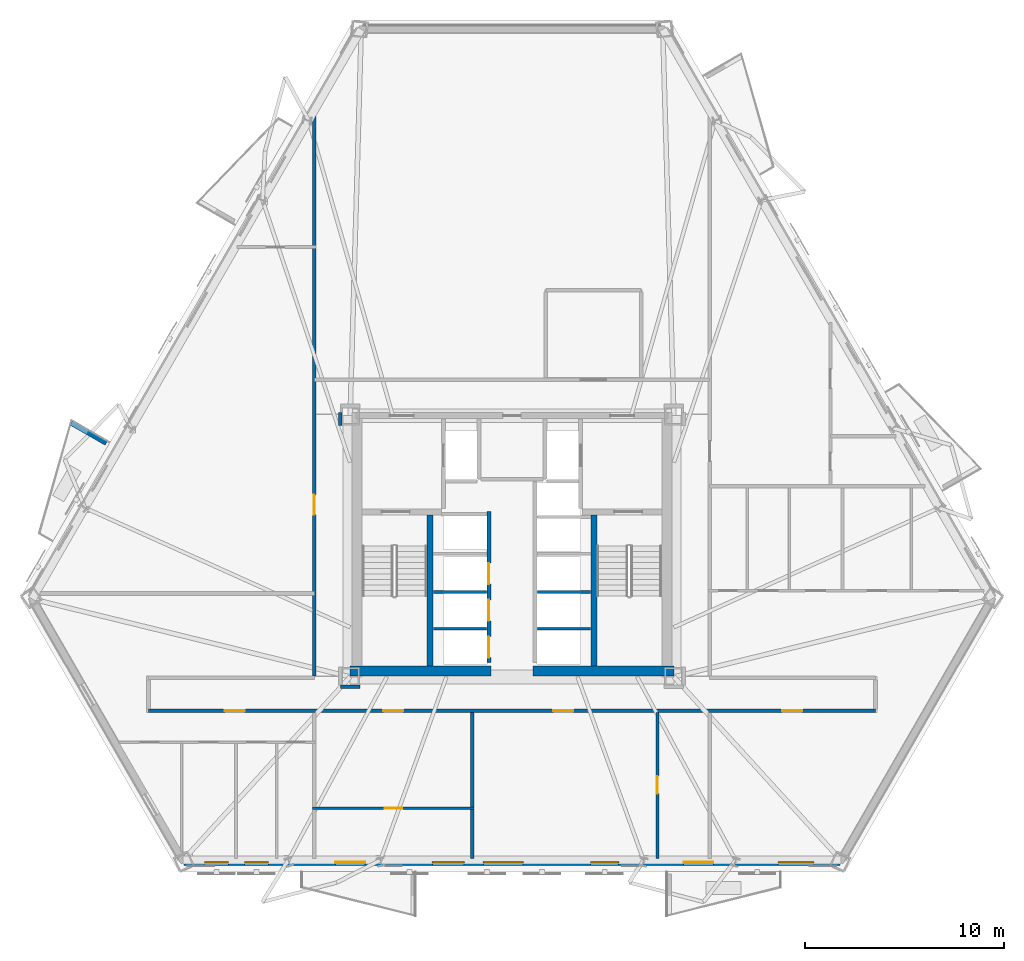
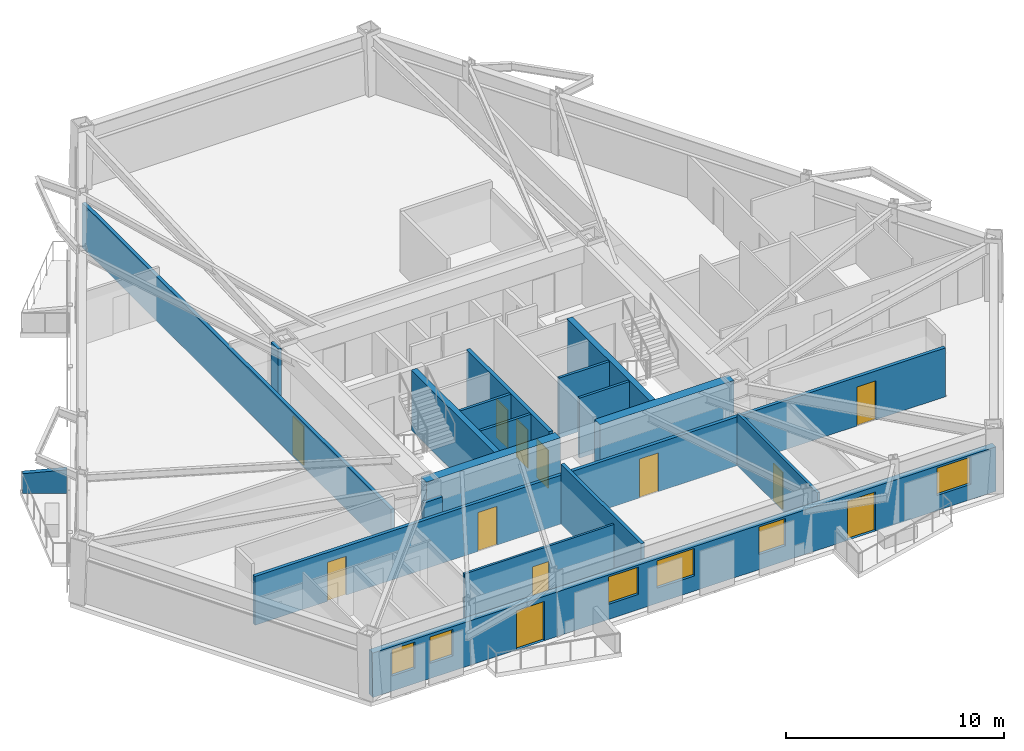
# One storey, part 3 of 13: 18 walls, 12 doors, 6 windows, 18 openings.
"""IFC4 building model written with IfcOpenShell, lengths in metres."""

from ifc_helpers import new_model, si_unit, direction, frame, frame_2d, origin, place, context, subcontext, project, spatial, polyline, rectangle, outline, extrude, material, layer, layer_set, type_object, element, fill, save


model = new_model("IFC4")

# Units and contexts
model_context = context("Model", 3, precision=1e-05, world=origin(), true_north=direction((0.0, 1.0)))
body_context = subcontext(model_context, "Body", "Model", "MODEL_VIEW")
ifc_project = project(units=[si_unit("LENGTHUNIT", "METRE"), si_unit("AREAUNIT", "SQUARE_METRE"), si_unit("VOLUMEUNIT", "CUBIC_METRE"), si_unit("PLANEANGLEUNIT", "RADIAN"), si_unit("MASSUNIT", "GRAM", prefix="KILO")], contexts=[model_context])

# Site, building, storey
site_placement = place(None, origin())
site = spatial("IfcSite", under=ifc_project, at=site_placement, CompositionType="ELEMENT")
building_placement = place(site_placement, origin())
building = spatial("IfcBuilding", under=site, at=building_placement, Name="Oramaril Tower", CompositionType="ELEMENT")
storey_placement = place(building_placement, frame((0.0, 0.0, 38.10009765625)))
storey = spatial("IfcBuildingStorey", under=building, at=storey_placement, Name="L09", CompositionType="ELEMENT", Elevation=38.10009765625)

# Wall, openings, doors, windows
ifc_material_1 = material(Name="Warm Cream Limestone", Category="masonry")
ifc_layer_1 = layer(ifc_material_1, 0.340087890625)
ifc_layer_set_1 = layer_set([ifc_layer_1], Name="WT-EXT34")
wall_type_1 = type_object("IfcWallType", Name="WT-EXT34", PredefinedType="SOLIDWALL", material=ifc_layer_set_1)
wall_1_placement = place(storey_placement, frame((20.989013671875, 1.673828125, 0.0), z_axis=(0.0, 0.0, 1.0), x_axis=(1.0, 0.0, 0.0)))
wall_1 = element("IfcWall", 1, at=wall_1_placement, inside=storey, type_object=wall_type_1, Name="L09 Tower Limestone Facade Wall 2M", PredefinedType="SOLIDWALL", context=body_context, shape_type="SweptSolid", body=[
    extrude(rectangle(XDim=33.02197265625, YDim=0.340087890625, at=frame_2d((16.510986328125, 0.0))), origin(), (0.0, 0.0, 1.0), 2.493896484375),
])
opening_1_placement = place(wall_1_placement, frame((7.614501953125, 0.0, 0.0)))
opening_1 = element("IfcOpeningElement", 2, at=opening_1_placement, cuts=wall_1, Name="Opening D-L09-BAL-S1", PredefinedType="OPENING", context=body_context, shape_type="SweptSolid", body=[
    extrude(rectangle(XDim=1.5, YDim=2.199951171875, at=frame_2d((0.75, 1.10009765625))), frame((0.0, 0.169921875, 0.0), z_axis=(0.0, -1.0, 0.0), x_axis=(1.0, 0.0, 0.0)), (0.0, 0.0, 1.0), 0.340087890625),
])
opening_2_placement = place(wall_1_placement, frame((25.15234375, 0.0, 0.0)))
opening_2 = element("IfcOpeningElement", 3, at=opening_2_placement, cuts=wall_1, Name="Opening D-L09-BAL-S2", PredefinedType="OPENING", context=body_context, shape_type="SweptSolid", body=[
    extrude(rectangle(XDim=1.5, YDim=2.199951171875, at=frame_2d((0.75, 1.10009765625))), frame((0.0, 0.169921875, 0.0), z_axis=(0.0, -1.0, 0.0), x_axis=(1.0, 0.0, 0.0)), (0.0, 0.0, 1.0), 0.340087890625),
])
opening_3_placement = place(wall_1_placement, frame((12.49951171875, 0.0, 0.85009765625)))
opening_3 = element("IfcOpeningElement", 4, at=opening_3_placement, cuts=wall_1, Name="Opening WN-07", PredefinedType="OPENING", context=body_context, shape_type="SweptSolid", body=[
    extrude(rectangle(XDim=1.60009765625, YDim=1.533935546875, at=frame_2d((0.800048828125, 0.76708984375))), frame((0.0, 0.169921875, 0.0), z_axis=(0.0, -1.0, 0.0), x_axis=(1.0, 0.0, 0.0)), (0.0, 0.0, 1.0), 0.340087890625),
])
opening_4_placement = place(wall_1_placement, frame((15.065185546875, 0.0, 0.85009765625)))
opening_4 = element("IfcOpeningElement", 5, at=opening_4_placement, cuts=wall_1, Name="Opening WN-05", PredefinedType="OPENING", context=body_context, shape_type="SweptSolid", body=[
    extrude(rectangle(XDim=2.0, YDim=1.533935546875, at=frame_2d((1.0, 0.76708984375))), frame((0.0, 0.169921875, 0.0), z_axis=(0.0, -1.0, 0.0), x_axis=(1.0, 0.0, 0.0)), (0.0, 0.0, 1.0), 0.340087890625),
])
opening_5_placement = place(wall_1_placement, frame((20.474609375, 0.0, 0.85009765625)))
opening_5 = element("IfcOpeningElement", 6, at=opening_5_placement, cuts=wall_1, Name="Opening WN-08", PredefinedType="OPENING", context=body_context, shape_type="SweptSolid", body=[
    extrude(rectangle(XDim=1.39990234375, YDim=1.533935546875, at=frame_2d((0.699951171875, 0.76708984375))), frame((0.0, 0.169921875, 0.0), z_axis=(0.0, -1.0, 0.0), x_axis=(1.0, 0.0, 0.0)), (0.0, 0.0, 1.0), 0.340087890625),
])
opening_6_placement = place(wall_1_placement, frame((1.03076171875, 0.0, 0.85009765625)))
opening_6 = element("IfcOpeningElement", 7, at=opening_6_placement, cuts=wall_1, Name="Opening WN-09", PredefinedType="OPENING", context=body_context, shape_type="SweptSolid", body=[
    extrude(rectangle(XDim=1.199951171875, YDim=1.47998046875, at=frame_2d((0.60009765625, 0.739990234375))), frame((0.0, 0.169921875, 0.0), z_axis=(0.0, -1.0, 0.0), x_axis=(1.0, 0.0, 0.0)), (0.0, 0.0, 1.0), 0.340087890625),
])
opening_7_placement = place(wall_1_placement, frame((3.0458984375, 0.0, 0.85009765625)))
opening_7 = element("IfcOpeningElement", 8, at=opening_7_placement, cuts=wall_1, Name="Opening WN-09", PredefinedType="OPENING", context=body_context, shape_type="SweptSolid", body=[
    extrude(rectangle(XDim=1.199951171875, YDim=1.47998046875, at=frame_2d((0.60009765625, 0.739990234375))), frame((0.0, 0.169921875, 0.0), z_axis=(0.0, -1.0, 0.0), x_axis=(1.0, 0.0, 0.0)), (0.0, 0.0, 1.0), 0.340087890625),
])
opening_8_placement = place(wall_1_placement, frame((29.906005859375, 0.0, 0.85009765625)))
opening_8 = element("IfcOpeningElement", 9, at=opening_8_placement, cuts=wall_1, Name="Opening WN-06", PredefinedType="OPENING", context=body_context, shape_type="SweptSolid", body=[
    extrude(rectangle(XDim=1.800048828125, YDim=1.533935546875, at=frame_2d((0.89990234375, 0.76708984375))), frame((0.0, 0.169921875, 0.0), z_axis=(0.0, -1.0, 0.0), x_axis=(1.0, 0.0, 0.0)), (0.0, 0.0, 1.0), 0.340087890625),
])
ifc_material_2 = material(Name="Anodised Aluminium 6063-T6", Category="aluminium")
door_type_1 = type_object("IfcDoorType", Name="DT-BAL", OperationType="NOTDEFINED", PredefinedType="DOOR", material=ifc_material_2)
door_1_placement = place(opening_1_placement, origin())
door_1 = element("IfcDoor", 10, at=door_1_placement, inside=storey, type_object=door_type_1, Name="L09 Balcony Glazed Door L09-BAL-S1", OperationType="SINGLE_SWING_RIGHT", OverallHeight=2.199951171875, OverallWidth=1.5, PredefinedType="DOOR", context=body_context, shape_type="SweptSolid", body=[
    extrude(rectangle(XDim=1.5, YDim=2.199951171875, at=frame_2d((0.75, 1.10009765625))), frame((0.0, 0.02490234375, 0.0), z_axis=(0.0, -1.0, 0.0), x_axis=(1.0, 0.0, 0.0)), (0.0, 0.0, 1.0), 0.050048828125),
])
fill(opening_1, door_1)
door_2_placement = place(opening_2_placement, origin())
door_2 = element("IfcDoor", 11, at=door_2_placement, inside=storey, type_object=door_type_1, Name="L09 Balcony Glazed Door L09-BAL-S2", OperationType="SINGLE_SWING_LEFT", OverallHeight=2.199951171875, OverallWidth=1.5, PredefinedType="DOOR", context=body_context, shape_type="SweptSolid", body=[
    extrude(rectangle(XDim=1.5, YDim=2.199951171875, at=frame_2d((0.75, 1.10009765625))), frame((0.0, 0.02490234375, 0.0), z_axis=(0.0, -1.0, 0.0), x_axis=(1.0, 0.0, 0.0)), (0.0, 0.0, 1.0), 0.050048828125),
])
fill(opening_2, door_2)
ifc_material_3 = material(Name="Coastal Low-E Insulated Glass", Category="glass")
window_type_1 = type_object("IfcWindowType", Name="WNT-05", PartitioningType="SINGLE_PANEL", PredefinedType="WINDOW", material=ifc_material_3)
window_1_placement = place(opening_4_placement, origin())
window_1 = element("IfcWindow", 12, at=window_1_placement, inside=storey, type_object=window_type_1, Name="L09 Chicago Bay Window WN-05", OverallHeight=1.533935546875, OverallWidth=2.0, PartitioningType="SINGLE_PANEL", PredefinedType="WINDOW", context=body_context, shape_type="SweptSolid", body=[
    extrude(rectangle(XDim=2.0, YDim=1.533935546875, at=frame_2d((1.0, 0.76708984375))), frame((0.0, 0.030029296875, 0.0), z_axis=(0.0, -1.0, 0.0), x_axis=(1.0, 0.0, 0.0)), (0.0, 0.0, 1.0), 0.06005859375),
])
fill(opening_4, window_1)
ifc_material_4 = material(Name="Coastal Low-E Insulated Glass", Category="glass")
window_type_2 = type_object("IfcWindowType", Name="WNT-06", PartitioningType="SINGLE_PANEL", PredefinedType="WINDOW", material=ifc_material_4)
window_2_placement = place(opening_8_placement, origin())
window_2 = element("IfcWindow", 13, at=window_2_placement, inside=storey, type_object=window_type_2, Name="L09 Chicago Bay Window WN-06", OverallHeight=1.533935546875, OverallWidth=1.800048828125, PartitioningType="SINGLE_PANEL", PredefinedType="WINDOW", context=body_context, shape_type="SweptSolid", body=[
    extrude(rectangle(XDim=1.800048828125, YDim=1.533935546875, at=frame_2d((0.89990234375, 0.76708984375))), frame((0.0, 0.030029296875, 0.0), z_axis=(0.0, -1.0, 0.0), x_axis=(1.0, 0.0, 0.0)), (0.0, 0.0, 1.0), 0.06005859375),
])
fill(opening_8, window_2)
ifc_material_5 = material(Name="Coastal Low-E Insulated Glass", Category="glass")
window_type_3 = type_object("IfcWindowType", Name="WNT-07", PartitioningType="SINGLE_PANEL", PredefinedType="WINDOW", material=ifc_material_5)
window_3_placement = place(opening_3_placement, origin())
window_3 = element("IfcWindow", 14, at=window_3_placement, inside=storey, type_object=window_type_3, Name="L09 Chicago Bay Window WN-07", OverallHeight=1.533935546875, OverallWidth=1.60009765625, PartitioningType="SINGLE_PANEL", PredefinedType="WINDOW", context=body_context, shape_type="SweptSolid", body=[
    extrude(rectangle(XDim=1.60009765625, YDim=1.533935546875, at=frame_2d((0.800048828125, 0.76708984375))), frame((0.0, 0.030029296875, 0.0), z_axis=(0.0, -1.0, 0.0), x_axis=(1.0, 0.0, 0.0)), (0.0, 0.0, 1.0), 0.06005859375),
])
fill(opening_3, window_3)
ifc_material_6 = material(Name="Coastal Low-E Insulated Glass", Category="glass")
window_type_4 = type_object("IfcWindowType", Name="WNT-08", PartitioningType="SINGLE_PANEL", PredefinedType="WINDOW", material=ifc_material_6)
window_4_placement = place(opening_5_placement, origin())
window_4 = element("IfcWindow", 15, at=window_4_placement, inside=storey, type_object=window_type_4, Name="L09 Chicago Bay Window WN-08", OverallHeight=1.533935546875, OverallWidth=1.39990234375, PartitioningType="SINGLE_PANEL", PredefinedType="WINDOW", context=body_context, shape_type="SweptSolid", body=[
    extrude(rectangle(XDim=1.39990234375, YDim=1.533935546875, at=frame_2d((0.699951171875, 0.76708984375))), frame((0.0, 0.030029296875, 0.0), z_axis=(0.0, -1.0, 0.0), x_axis=(1.0, 0.0, 0.0)), (0.0, 0.0, 1.0), 0.06005859375),
])
fill(opening_5, window_4)
ifc_material_7 = material(Name="Coastal Low-E Insulated Glass", Category="glass")
window_type_5 = type_object("IfcWindowType", Name="WNT-09", PartitioningType="SINGLE_PANEL", PredefinedType="WINDOW", material=ifc_material_7)
window_5_placement = place(opening_6_placement, origin())
window_5 = element("IfcWindow", 16, at=window_5_placement, inside=storey, type_object=window_type_5, Name="L09 Chicago Bay Window WN-09", OverallHeight=1.47998046875, OverallWidth=1.199951171875, PartitioningType="SINGLE_PANEL", PredefinedType="WINDOW", context=body_context, shape_type="SweptSolid", body=[
    extrude(rectangle(XDim=1.199951171875, YDim=1.47998046875, at=frame_2d((0.60009765625, 0.739990234375))), frame((0.0, 0.030029296875, 0.0), z_axis=(0.0, -1.0, 0.0), x_axis=(1.0, 0.0, 0.0)), (0.0, 0.0, 1.0), 0.06005859375),
])
fill(opening_6, window_5)
window_6_placement = place(opening_7_placement, origin())
window_6 = element("IfcWindow", 17, at=window_6_placement, inside=storey, type_object=window_type_5, Name="L09 Chicago Bay Window WN-09", OverallHeight=1.47998046875, OverallWidth=1.199951171875, PartitioningType="SINGLE_PANEL", PredefinedType="WINDOW", context=body_context, shape_type="SweptSolid", body=[
    extrude(rectangle(XDim=1.199951171875, YDim=1.47998046875, at=frame_2d((0.60009765625, 0.739990234375))), frame((0.0, 0.030029296875, 0.0), z_axis=(0.0, -1.0, 0.0), x_axis=(1.0, 0.0, 0.0)), (0.0, 0.0, 1.0), 0.06005859375),
])
fill(opening_7, window_6)

# Wall
ifc_material_8 = material(Name="Concrete C40/50", Category="concrete")
ifc_layer_2 = layer(ifc_material_8, 0.22998046875)
ifc_layer_set_2 = layer_set([ifc_layer_2], Name="WT-PRP23")
wall_type_2 = type_object("IfcWallType", Name="WT-PRP23", PredefinedType="PARAPET", material=ifc_layer_set_2)
wall_2_placement = place(storey_placement, frame((17.0712890625, 22.764892578125, 0.0), z_axis=(0.0, 0.0, 1.0), x_axis=(-0.866012356593, 0.500022597718, 0.0)))
element("IfcWall", 18, at=wall_2_placement, inside=storey, type_object=wall_type_2, Name="L09 Trapezoidal Balcony Frame Cheek L09-BAL-NW2-L", PredefinedType="PARAPET", context=body_context, shape_type="SweptSolid", body=[
    extrude(outline(polyline([(0.0, 0.0), (2.0419921875, 0.0), (2.0419921875, 1.099853515625), (0.0, 1.31982421875), (0.0, 0.0)])), frame((0.0, 0.114990234375, 0.0), z_axis=(0.0, -1.0, 0.0), x_axis=(1.0, 0.0, 0.0)), (0.0, 0.0, 1.0), 0.22998046875),
])

# Wall, opening, door
ifc_material_9 = material(Name="Acoustic Gypsum Board Partition")
ifc_layer_3 = layer(ifc_material_9, 0.1201171875)
ifc_layer_set_3 = layer_set([ifc_layer_3], Name="WT-PT12")
wall_type_3 = type_object("IfcWallType", Name="WT-PT12", PredefinedType="PARTITIONING", material=ifc_layer_set_3)
wall_3_placement = place(storey_placement, frame((27.468017578125, 4.3798828125, 0.0), z_axis=(0.0, 0.0, 1.0), x_axis=(1.0, 0.0, 0.0)))
wall_3 = element("IfcWall", 19, at=wall_3_placement, inside=storey, type_object=wall_type_3, Name="L09 Interior Partition PT-12", PredefinedType="PARTITIONING", context=body_context, shape_type="SweptSolid", body=[
    extrude(rectangle(XDim=8.114013671875, YDim=0.1201171875, at=frame_2d((4.05712890625, 0.0))), origin(), (0.0, 0.0, 1.0), 2.94580078125),
])
opening_9_placement = place(wall_3_placement, frame((3.616943359375, 0.0, 0.0)))
opening_9 = element("IfcOpeningElement", 20, at=opening_9_placement, cuts=wall_3, Name="Opening D-L09-01", PredefinedType="OPENING", context=body_context, shape_type="SweptSolid", body=[
    extrude(rectangle(XDim=0.8798828125, YDim=2.080078125, at=frame_2d((0.43994140625, 1.0400390625))), frame((0.0, 0.06005859375, 0.0), z_axis=(0.0, -1.0, 0.0), x_axis=(1.0, 0.0, 0.0)), (0.0, 0.0, 1.0), 0.1201171875),
])
ifc_material_10 = material(Name="FSC Brazilian Freijo Hardwood", Category="wood")
door_type_2 = type_object("IfcDoorType", Name="DT-BATH", OperationType="NOTDEFINED", PredefinedType="DOOR", material=ifc_material_10)
door_3_placement = place(opening_9_placement, origin())
door_3 = element("IfcDoor", 21, at=door_3_placement, inside=storey, type_object=door_type_2, Name="L09 Flat L09-U1 Bathroom Door D-L09-01", OperationType="SINGLE_SWING_LEFT", OverallHeight=2.080078125, OverallWidth=0.8798828125, PredefinedType="DOOR", context=body_context, shape_type="SweptSolid", body=[
    extrude(rectangle(XDim=0.8798828125, YDim=2.080078125, at=frame_2d((0.43994140625, 1.0400390625))), frame((0.0, 0.02490234375, 0.0), z_axis=(0.0, -1.0, 0.0), x_axis=(1.0, 0.0, 0.0)), (0.0, 0.0, 1.0), 0.050048828125),
])
fill(opening_9, door_3)

# Walls
ifc_material_11 = material(Name="Acoustic Gypsum Board Partition")
ifc_layer_4 = layer(ifc_material_11, 0.139892578125)
ifc_layer_set_4 = layer_set([ifc_layer_4], Name="WT-PT14")
wall_type_4 = type_object("IfcWallType", Name="WT-PT14", PredefinedType="PARTITIONING", material=ifc_layer_set_4)
for number, where, z_axis, x_axis, name in (
    (22, (33.56005859375, 13.419921875, 0.0), (0.0, 0.0, 1.0), (1.0, 0.0, 0.0), "L09 West Lift Divider"),
    (23, (33.56005859375, 15.27001953125, 0.0), (0.0, 0.0, 1.0), (1.0, 0.0, 0.0), "L09 West Lift Divider"),
    (24, (38.780029296875, 13.419921875, 0.0), (0.0, 0.0, 1.0), (1.0, 0.0, 0.0), "L09 East Lift Divider"),
    (25, (38.780029296875, 15.27001953125, 0.0), (0.0, 0.0, 1.0), (1.0, 0.0, 0.0), "L09 East Lift Divider"),
):
    element("IfcWall", number, at=place(storey_placement, frame(where, z_axis=z_axis, x_axis=x_axis)), inside=storey, type_object=wall_type_4, Name=name, PredefinedType="PARTITIONING", context=body_context, shape_type="SweptSolid", body=[
        extrude(rectangle(XDim=2.659912109375, YDim=0.139892578125, at=frame_2d((1.330078125, 0.0))), origin(), (0.0, 0.0, 1.0), 3.35986328125),
    ])

# Wall, opening, door
wall_4_placement = place(storey_placement, frame((44.820068359375, 1.847900390625, 0.0), z_axis=(0.0, 0.0, 1.0), x_axis=(0.0, 1.0, 0.0)))
wall_4 = element("IfcWall", 26, at=wall_4_placement, inside=storey, type_object=wall_type_4, Name="L09 Interior Partition PT-14", PredefinedType="PARTITIONING", context=body_context, shape_type="SweptSolid", body=[
    extrude(rectangle(XDim=7.358154296875, YDim=0.139892578125, at=frame_2d((3.67919921875, 0.0))), origin(), (0.0, 0.0, 1.0), 2.94580078125),
])
opening_10_placement = place(wall_4_placement, frame((3.274169921875, 0.0, 0.0)))
opening_10 = element("IfcOpeningElement", 27, at=opening_10_placement, cuts=wall_4, Name="Opening D-L09-18", PredefinedType="OPENING", context=body_context, shape_type="SweptSolid", body=[
    extrude(rectangle(XDim=0.8798828125, YDim=2.080078125, at=frame_2d((0.43994140625, 1.0400390625))), frame((0.0, 0.06982421875, 0.0), z_axis=(0.0, -1.0, 0.0), x_axis=(1.0, 0.0, 0.0)), (0.0, 0.0, 1.0), 0.139892578125),
])
door_4_placement = place(opening_10_placement, origin())
door_4 = element("IfcDoor", 28, at=door_4_placement, inside=storey, type_object=door_type_2, Name="L09 Flat L09-U2 Bathroom Door D-L09-18", OperationType="SINGLE_SWING_RIGHT", OverallHeight=2.080078125, OverallWidth=0.8798828125, PredefinedType="DOOR", context=body_context, shape_type="SweptSolid", body=[
    extrude(rectangle(XDim=0.8798828125, YDim=2.080078125, at=frame_2d((0.43994140625, 1.0400390625))), frame((0.0, 0.02490234375, 0.0), z_axis=(0.0, -1.0, 0.0), x_axis=(1.0, 0.0, 0.0)), (0.0, 0.0, 1.0), 0.050048828125),
])
fill(opening_10, door_4)

# Wall, openings, doors
ifc_material_12 = material(Name="Autoclaved Cellular Concrete Block", Category="concrete")
ifc_layer_5 = layer(ifc_material_12, 0.179931640625)
ifc_layer_set_5 = layer_set([ifc_layer_5], Name="WT-PT18")
wall_type_5 = type_object("IfcWallType", Name="WT-PT18", PredefinedType="PARTITIONING", material=ifc_layer_set_5)
wall_5_placement = place(storey_placement, frame((19.199951171875, 9.300048828125, 0.0), z_axis=(0.0, 0.0, 1.0), x_axis=(1.0, 0.0, 0.0)))
wall_5 = element("IfcWall", 29, at=wall_5_placement, inside=storey, type_object=wall_type_5, Name="L09 Interior Partition PT-18", PredefinedType="PARTITIONING", context=body_context, shape_type="SweptSolid", body=[
    extrude(rectangle(XDim=36.60009765625, YDim=0.179931640625, at=frame_2d((18.300048828125, 0.0))), origin(), (0.0, 0.0, 1.0), 2.73779296875),
])
opening_11_placement = place(wall_5_placement, frame((3.84423828125, 0.0, 0.0)))
opening_11 = element("IfcOpeningElement", 30, at=opening_11_placement, cuts=wall_5, Name="Opening D-L09-06", PredefinedType="OPENING", context=body_context, shape_type="SweptSolid", body=[
    extrude(rectangle(XDim=1.0, YDim=2.179931640625, at=frame_2d((0.5, 1.08984375))), frame((0.0, 0.08984375, 0.0), z_axis=(0.0, -1.0, 0.0), x_axis=(1.0, 0.0, 0.0)), (0.0, 0.0, 1.0), 0.179931640625),
])
opening_12_placement = place(wall_5_placement, frame((11.824951171875, 0.0, 0.0)))
opening_12 = element("IfcOpeningElement", 31, at=opening_12_placement, cuts=wall_5, Name="Opening D-L09-07", PredefinedType="OPENING", context=body_context, shape_type="SweptSolid", body=[
    extrude(rectangle(XDim=1.0, YDim=2.179931640625, at=frame_2d((0.5, 1.08984375))), frame((0.0, 0.08984375, 0.0), z_axis=(0.0, -1.0, 0.0), x_axis=(1.0, 0.0, 0.0)), (0.0, 0.0, 1.0), 0.179931640625),
])
opening_13_placement = place(wall_5_placement, frame((20.38671875, 0.0, 0.0)))
opening_13 = element("IfcOpeningElement", 32, at=opening_13_placement, cuts=wall_5, Name="Opening D-L09-08", PredefinedType="OPENING", context=body_context, shape_type="SweptSolid", body=[
    extrude(rectangle(XDim=1.0, YDim=2.179931640625, at=frame_2d((0.5, 1.08984375))), frame((0.0, 0.08984375, 0.0), z_axis=(0.0, -1.0, 0.0), x_axis=(1.0, 0.0, 0.0)), (0.0, 0.0, 1.0), 0.179931640625),
])
opening_14_placement = place(wall_5_placement, frame((31.904052734375, 0.0, 0.0)))
opening_14 = element("IfcOpeningElement", 33, at=opening_14_placement, cuts=wall_5, Name="Opening D-L09-09", PredefinedType="OPENING", context=body_context, shape_type="SweptSolid", body=[
    extrude(rectangle(XDim=1.0, YDim=2.179931640625, at=frame_2d((0.5, 1.08984375))), frame((0.0, 0.08984375, 0.0), z_axis=(0.0, -1.0, 0.0), x_axis=(1.0, 0.0, 0.0)), (0.0, 0.0, 1.0), 0.179931640625),
])
ifc_material_13 = material(Name="FSC Brazilian Freijo Hardwood", Category="wood")
door_type_3 = type_object("IfcDoorType", Name="DT-APT", OperationType="NOTDEFINED", PredefinedType="DOOR", material=ifc_material_13)
door_5_placement = place(opening_11_placement, origin())
door_5 = element("IfcDoor", 34, at=door_5_placement, inside=storey, type_object=door_type_3, Name="L09 Flat L09-U3 Penthouse 2-Bedroom Living and Dining Room Door D-L09-06", OperationType="SINGLE_SWING_RIGHT", OverallHeight=2.179931640625, OverallWidth=1.0, PredefinedType="DOOR", context=body_context, shape_type="SweptSolid", body=[
    extrude(rectangle(XDim=1.0, YDim=2.179931640625, at=frame_2d((0.5, 1.08984375))), frame((0.0, 0.02490234375, 0.0), z_axis=(0.0, -1.0, 0.0), x_axis=(1.0, 0.0, 0.0)), (0.0, 0.0, 1.0), 0.050048828125),
])
fill(opening_11, door_5)
door_6_placement = place(opening_12_placement, origin())
door_6 = element("IfcDoor", 35, at=door_6_placement, inside=storey, type_object=door_type_3, Name="L09 Flat L09-U1 Kitchen and Studio Apartment Door D-L09-07", OperationType="SINGLE_SWING_LEFT", OverallHeight=2.179931640625, OverallWidth=1.0, PredefinedType="DOOR", context=body_context, shape_type="SweptSolid", body=[
    extrude(rectangle(XDim=1.0, YDim=2.179931640625, at=frame_2d((0.5, 1.08984375))), frame((0.0, 0.02490234375, 0.0), z_axis=(0.0, -1.0, 0.0), x_axis=(1.0, 0.0, 0.0)), (0.0, 0.0, 1.0), 0.050048828125),
])
fill(opening_12, door_6)
door_7_placement = place(opening_13_placement, origin())
door_7 = element("IfcDoor", 36, at=door_7_placement, inside=storey, type_object=door_type_3, Name="L09 Flat L09-U2 Kitchen and Studio Apartment Door D-L09-08", OperationType="SINGLE_SWING_RIGHT", OverallHeight=2.179931640625, OverallWidth=1.0, PredefinedType="DOOR", context=body_context, shape_type="SweptSolid", body=[
    extrude(rectangle(XDim=1.0, YDim=2.179931640625, at=frame_2d((0.5, 1.08984375))), frame((0.0, 0.02490234375, 0.0), z_axis=(0.0, -1.0, 0.0), x_axis=(1.0, 0.0, 0.0)), (0.0, 0.0, 1.0), 0.050048828125),
])
fill(opening_13, door_7)
door_8_placement = place(opening_14_placement, origin())
door_8 = element("IfcDoor", 37, at=door_8_placement, inside=storey, type_object=door_type_3, Name="L09 Flat L09-U5 Penthouse 2-Bedroom Living and Dining Room Door D-L09-09", OperationType="SINGLE_SWING_LEFT", OverallHeight=2.179931640625, OverallWidth=1.0, PredefinedType="DOOR", context=body_context, shape_type="SweptSolid", body=[
    extrude(rectangle(XDim=1.0, YDim=2.179931640625, at=frame_2d((0.5, 1.08984375))), frame((0.0, 0.02490234375, 0.0), z_axis=(0.0, -1.0, 0.0), x_axis=(1.0, 0.0, 0.0)), (0.0, 0.0, 1.0), 0.050048828125),
])
fill(opening_14, door_8)

# Wall
wall_6_placement = place(storey_placement, frame((28.860107421875, 10.510009765625, 0.0), z_axis=(0.0, 0.0, 1.0), x_axis=(1.0, 0.0, 0.0)))
element("IfcWall", 38, at=wall_6_placement, inside=storey, type_object=wall_type_5, Name="L09 Interior Partition PT-18", PredefinedType="PARTITIONING", context=body_context, shape_type="SweptSolid", body=[
    extrude(rectangle(XDim=0.97998046875, YDim=0.179931640625, at=frame_2d((0.489990234375, 0.0))), origin(), (0.0, 0.0, 1.0), 2.73779296875),
])

# Wall, opening, door
wall_7_placement = place(storey_placement, frame((27.550048828125, 11.0439453125, 0.0), z_axis=(0.0, 0.0, 1.0), x_axis=(0.0, 1.0, 0.0)))
wall_7 = element("IfcWall", 39, at=wall_7_placement, inside=storey, type_object=wall_type_5, Name="L09 Interior Partition PT-18", PredefinedType="PARTITIONING", context=body_context, shape_type="SweptSolid", body=[
    extrude(rectangle(XDim=28.326416015625, YDim=0.179931640625, at=frame_2d((14.1630859375, 0.0))), origin(), (0.0, 0.0, 1.0), 2.493896484375),
])
opening_15_placement = place(wall_7_placement, frame((8.12060546875, 0.0, 0.0)))
opening_15 = element("IfcOpeningElement", 40, at=opening_15_placement, cuts=wall_7, Name="Opening D-L09-17", PredefinedType="OPENING", context=body_context, shape_type="SweptSolid", body=[
    extrude(rectangle(XDim=1.0, YDim=2.179931640625, at=frame_2d((0.5, 1.08984375))), frame((0.0, 0.08984375, 0.0), z_axis=(0.0, -1.0, 0.0), x_axis=(1.0, 0.0, 0.0)), (0.0, 0.0, 1.0), 0.179931640625),
])
door_9_placement = place(opening_15_placement, origin())
door_9 = element("IfcDoor", 41, at=door_9_placement, inside=storey, type_object=door_type_3, Name="L09 Flat L09-U4 Kitchen and Studio Apartment Door D-L09-17", OperationType="SINGLE_SWING_LEFT", OverallHeight=2.179931640625, OverallWidth=1.0, PredefinedType="DOOR", context=body_context, shape_type="SweptSolid", body=[
    extrude(rectangle(XDim=1.0, YDim=2.179931640625, at=frame_2d((0.5, 1.08984375))), frame((0.0, 0.02490234375, 0.0), z_axis=(0.0, -1.0, 0.0), x_axis=(1.0, 0.0, 0.0)), (0.0, 0.0, 1.0), 0.050048828125),
])
fill(opening_15, door_9)

# Walls
wall_8_placement = place(storey_placement, frame((28.860107421875, 23.655029296875, 0.0), z_axis=(0.0, 0.0, 1.0), x_axis=(0.0, 1.0, 0.0)))
element("IfcWall", 42, at=wall_8_placement, inside=storey, type_object=wall_type_5, Name="L09 Interior Partition PT-18", PredefinedType="PARTITIONING", context=body_context, shape_type="SweptSolid", body=[
    extrude(rectangle(XDim=0.6650390625, YDim=0.179931640625, at=frame_2d((0.33251953125, 0.0))), origin(), (0.0, 0.0, 1.0), 3.35986328125),
])
wall_9_placement = place(storey_placement, frame((35.5, 1.847900390625, 0.0), z_axis=(0.0, 0.0, 1.0), x_axis=(0.0, 1.0, 0.0)))
element("IfcWall", 43, at=wall_9_placement, inside=storey, type_object=wall_type_5, Name="L09 Interior Partition PT-18", PredefinedType="PARTITIONING", context=body_context, shape_type="SweptSolid", body=[
    extrude(rectangle(XDim=7.358154296875, YDim=0.179931640625, at=frame_2d((3.67919921875, 0.0))), origin(), (0.0, 0.0, 1.0), 3.35986328125),
])
ifc_material_14 = material(Name="Concrete C50/60", Category="concrete")
ifc_layer_6 = layer(ifc_material_14, 0.300048828125)
ifc_layer_set_6 = layer_set([ifc_layer_6], Name="WT-SH30")
wall_type_6 = type_object("IfcWallType", Name="WT-SH30", PredefinedType="SHEAR", material=ifc_layer_set_6)
for number, where, z_axis, x_axis, name in (
    (44, (33.3798828125, 11.5400390625, 0.0), (0.0, 0.0, 1.0), (0.0, 1.0, 0.0), "L09 Core Shear Wall CW-ST1E"),
    (45, (41.6201171875, 11.5400390625, 0.0), (0.0, 0.0, 1.0), (0.0, 1.0, 0.0), "L09 Core Shear Wall CW-ST2W"),
):
    element("IfcWall", number, at=place(storey_placement, frame(where, z_axis=z_axis, x_axis=x_axis)), inside=storey, type_object=wall_type_6, Name=name, PredefinedType="SHEAR", context=body_context, shape_type="SweptSolid", body=[
        extrude(rectangle(XDim=7.619873046875, YDim=0.300048828125, at=frame_2d((3.81005859375, 0.0))), origin(), (0.0, 0.0, 1.0), 3.35986328125),
    ])
ifc_material_15 = material(Name="Concrete C50/60", Category="concrete")
ifc_layer_7 = layer(ifc_material_15, 0.5)
ifc_layer_set_7 = layer_set([ifc_layer_7], Name="WT-SH50")
wall_type_7 = type_object("IfcWallType", Name="WT-SH50", PredefinedType="SHEAR", material=ifc_layer_set_7)
for number, where, z_axis, x_axis, name in (
    (46, (29.35009765625, 11.2900390625, 0.0), (0.0, 0.0, 1.0), (1.0, 0.0, 0.0), "L09 Core Shear Wall CW-SW"),
    (47, (38.550048828125, 11.2900390625, 0.0), (0.0, 0.0, 1.0), (1.0, 0.0, 0.0), "L09 Core Shear Wall CW-SE"),
):
    element("IfcWall", number, at=place(storey_placement, frame(where, z_axis=z_axis, x_axis=x_axis)), inside=storey, type_object=wall_type_7, Name=name, PredefinedType="SHEAR", context=body_context, shape_type="SweptSolid", body=[
        extrude(rectangle(XDim=7.099853515625, YDim=0.5, at=frame_2d((3.5498046875, 0.0))), origin(), (0.0, 0.0, 1.0), 3.35986328125),
    ])

# Wall, openings, doors
ifc_material_16 = material(Name="Autoclaved Cellular Concrete Block", Category="concrete")
ifc_layer_8 = layer(ifc_material_16, 0.199951171875)
ifc_layer_set_8 = layer_set([ifc_layer_8], Name="WT-SHF20")
wall_type_8 = type_object("IfcWallType", Name="WT-SHF20", PredefinedType="PARTITIONING", material=ifc_layer_set_8)
wall_10_placement = place(storey_placement, frame((36.340087890625, 11.719970703125, 0.0), z_axis=(0.0, 0.0, 1.0), x_axis=(0.0, 1.0, 0.0)))
wall_10 = element("IfcWall", 48, at=wall_10_placement, inside=storey, type_object=wall_type_8, Name="L09 West Lift Bank Front Wall", PredefinedType="PARTITIONING", context=body_context, shape_type="SweptSolid", body=[
    extrude(rectangle(XDim=7.60009765625, YDim=0.199951171875, at=frame_2d((3.800048828125, 0.0))), origin(), (0.0, 0.0, 1.0), 3.35986328125),
])
opening_16_placement = place(wall_10_placement, frame((0.2548828125, 0.0, 0.0)))
opening_16 = element("IfcOpeningElement", 49, at=opening_16_placement, cuts=wall_10, Name="Opening LD-L09-LP-L1", PredefinedType="OPENING", context=body_context, shape_type="SweptSolid", body=[
    extrude(rectangle(XDim=1.050048828125, YDim=2.14990234375, at=frame_2d((0.52490234375, 1.074951171875))), frame((0.0, 0.10009765625, 0.0), z_axis=(0.0, -1.0, 0.0), x_axis=(1.0, 0.0, 0.0)), (0.0, 0.0, 1.0), 0.199951171875),
])
opening_17_placement = place(wall_10_placement, frame((2.10498046875, 0.0, 0.0)))
opening_17 = element("IfcOpeningElement", 50, at=opening_17_placement, cuts=wall_10, Name="Opening LD-L09-LP-L2", PredefinedType="OPENING", context=body_context, shape_type="SweptSolid", body=[
    extrude(rectangle(XDim=1.050048828125, YDim=2.14990234375, at=frame_2d((0.52490234375, 1.074951171875))), frame((0.0, 0.10009765625, 0.0), z_axis=(0.0, -1.0, 0.0), x_axis=(1.0, 0.0, 0.0)), (0.0, 0.0, 1.0), 0.199951171875),
])
opening_18_placement = place(wall_10_placement, frame((3.955078125, 0.0, 0.0)))
opening_18 = element("IfcOpeningElement", 51, at=opening_18_placement, cuts=wall_10, Name="Opening LD-L09-LP-L3", PredefinedType="OPENING", context=body_context, shape_type="SweptSolid", body=[
    extrude(rectangle(XDim=1.050048828125, YDim=2.14990234375, at=frame_2d((0.52490234375, 1.074951171875))), frame((0.0, 0.10009765625, 0.0), z_axis=(0.0, -1.0, 0.0), x_axis=(1.0, 0.0, 0.0)), (0.0, 0.0, 1.0), 0.199951171875),
])
ifc_material_17 = material(Name="Stainless Steel 316L", Category="steel")
door_type_4 = type_object("IfcDoorType", Name="DT-LD2", OperationType="NOTDEFINED", PredefinedType="DOOR", material=ifc_material_17)
door_10_placement = place(opening_16_placement, origin())
door_10 = element("IfcDoor", 52, at=door_10_placement, inside=storey, type_object=door_type_4, Name="L09 Lift LP-L1 Sliding Landing Door", OperationType="SLIDING_TO_LEFT", OverallHeight=2.14990234375, OverallWidth=1.050048828125, PredefinedType="DOOR", context=body_context, shape_type="SweptSolid", body=[
    extrude(rectangle(XDim=1.050048828125, YDim=2.14990234375, at=frame_2d((0.52490234375, 1.074951171875))), frame((0.0, 0.02490234375, 0.0), z_axis=(0.0, -1.0, 0.0), x_axis=(1.0, 0.0, 0.0)), (0.0, 0.0, 1.0), 0.050048828125),
])
fill(opening_16, door_10)
door_11_placement = place(opening_17_placement, origin())
door_11 = element("IfcDoor", 53, at=door_11_placement, inside=storey, type_object=door_type_4, Name="L09 Lift LP-L2 Sliding Landing Door", OperationType="SLIDING_TO_RIGHT", OverallHeight=2.14990234375, OverallWidth=1.050048828125, PredefinedType="DOOR", context=body_context, shape_type="SweptSolid", body=[
    extrude(rectangle(XDim=1.050048828125, YDim=2.14990234375, at=frame_2d((0.52490234375, 1.074951171875))), frame((0.0, 0.02490234375, 0.0), z_axis=(0.0, -1.0, 0.0), x_axis=(1.0, 0.0, 0.0)), (0.0, 0.0, 1.0), 0.050048828125),
])
fill(opening_17, door_11)
door_12_placement = place(opening_18_placement, origin())
door_12 = element("IfcDoor", 54, at=door_12_placement, inside=storey, type_object=door_type_4, Name="L09 Lift LP-L3 Sliding Landing Door", OperationType="SLIDING_TO_LEFT", OverallHeight=2.14990234375, OverallWidth=1.050048828125, PredefinedType="DOOR", context=body_context, shape_type="SweptSolid", body=[
    extrude(rectangle(XDim=1.050048828125, YDim=2.14990234375, at=frame_2d((0.52490234375, 1.074951171875))), frame((0.0, 0.02490234375, 0.0), z_axis=(0.0, -1.0, 0.0), x_axis=(1.0, 0.0, 0.0)), (0.0, 0.0, 1.0), 0.050048828125),
])
fill(opening_18, door_12)

save(model, "model.ifc")
